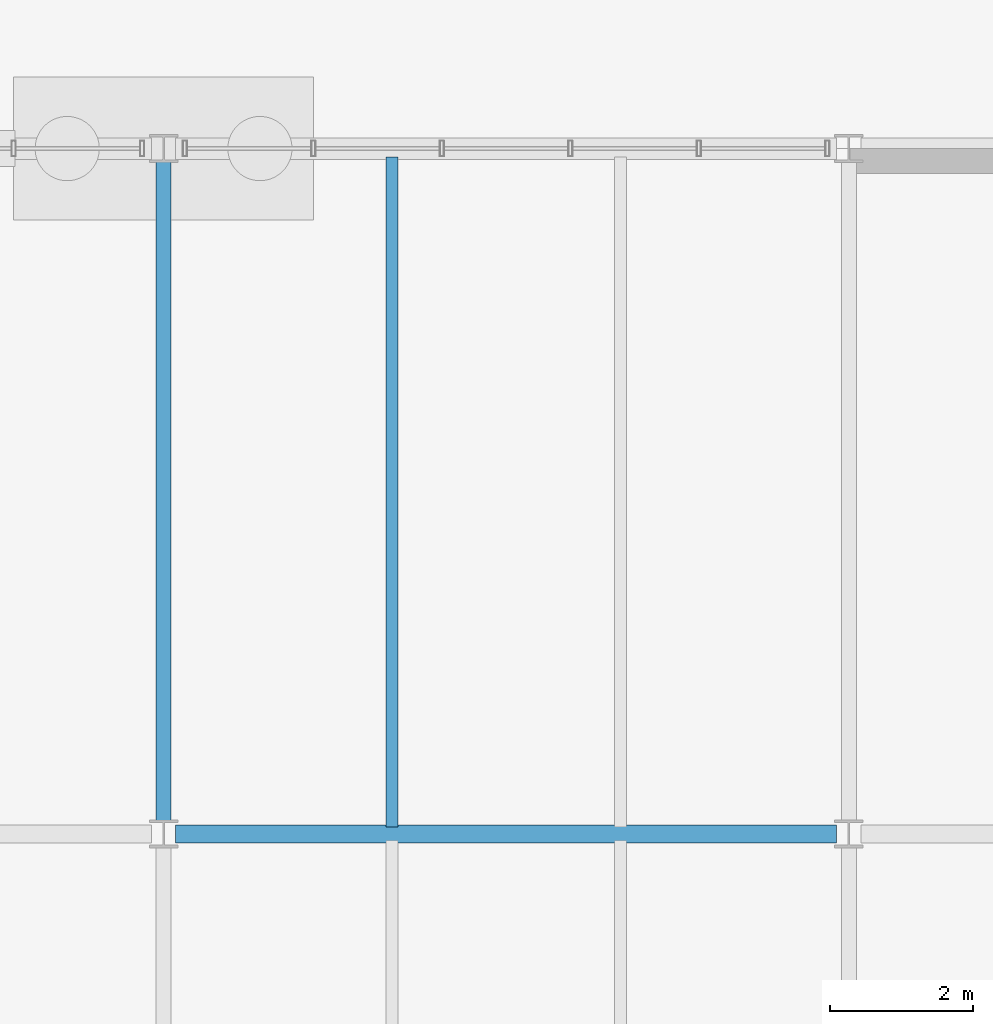
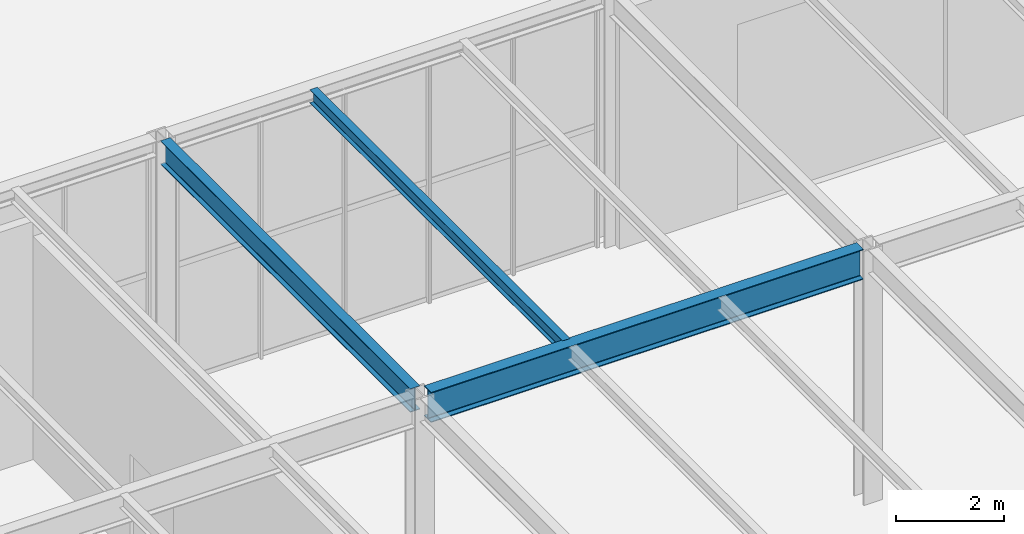
# One storey, part 52 of 142: 3 beams.
"""IFC4 building model written with IfcOpenShell, lengths in metres."""

from ifc_helpers import new_model, si_unit, direction, frame, origin, origin_2d, place, context, subcontext, project, spatial, i_section, extrude, material, material_profile, profile_set, type_object, element, save


model = new_model("IFC4")

# Units and contexts
model_context = context("Model", 3, precision=1e-05, world=origin(), true_north=direction((0.0, 1.0)))
body_context = subcontext(model_context, "Body", "Model", "MODEL_VIEW")
ifc_project = project(units=[si_unit("LENGTHUNIT", "METRE"), si_unit("AREAUNIT", "SQUARE_METRE"), si_unit("VOLUMEUNIT", "CUBIC_METRE"), si_unit("PLANEANGLEUNIT", "RADIAN"), si_unit("MASSUNIT", "GRAM", prefix="KILO")], contexts=[model_context])

# Site, building, storey
site_placement = place(None, origin())
site = spatial("IfcSite", under=ifc_project, at=site_placement, CompositionType="ELEMENT")
building_placement = place(site_placement, origin())
building = spatial("IfcBuilding", under=site, at=building_placement, Name="Coralgate Yard Interchange", CompositionType="ELEMENT")
storey_placement = place(building_placement, origin())
storey = spatial("IfcBuildingStorey", under=building, at=storey_placement, Name="L00", CompositionType="ELEMENT", Elevation=0.0)

# Beams
ifc_material = material(Name="Structural steel S355J2", Category="steel")
ifc_material_profile_1 = material_profile(ifc_material, i_section(OverallWidth=0.209228515625, OverallDepth=0.533203125, WebThickness=0.010009765625, FlangeThickness=0.015625, FilletRadius=0.0126953125, at=origin_2d()), Name="UB 533x210x92")
ifc_profile_set_1 = profile_set([ifc_material_profile_1], Name="Structural steel S355J2")
beam_type_1 = type_object("IfcBeamType", Name="BM-SB-1", PredefinedType="BEAM", material=ifc_profile_set_1)
beam_1_placement = place(storey_placement, frame((9.60009765625, 48.166748046875, 5.4833984375), z_axis=(0.0, 1.0, 0.0), x_axis=(-1.0, 0.0, 0.0)))
element("IfcBeam", 1, at=beam_1_placement, inside=storey, type_object=beam_type_1, Name="L00 primary grid girder X1 Y5-6", PredefinedType="BEAM", context=body_context, shape_type="SweptSolid", body=[
    extrude(i_section(OverallWidth=0.209228515625, OverallDepth=0.533203125, WebThickness=0.010009765625, FlangeThickness=0.015625, FilletRadius=0.0126953125, at=origin_2d()), origin(), (0.0, 0.0, 1.0), 9.266357421875),
])
ifc_material_profile_2 = material_profile(ifc_material, i_section(OverallWidth=0.253662109375, OverallDepth=0.68359375, WebThickness=0.012451171875, FlangeThickness=0.01904296875, FilletRadius=0.01513671875, at=origin_2d()), Name="UB 686x254x140")
ifc_profile_set_2 = profile_set([ifc_material_profile_2], Name="Structural steel S355J2")
beam_type_2 = type_object("IfcBeamType", Name="BM-SG-4", PredefinedType="BEAM", material=ifc_profile_set_2)
beam_2_placement = place(storey_placement, frame((9.76953125, 48.0, 5.408203125), z_axis=(1.0, 0.0, 0.0), x_axis=(0.0, 1.0, 0.0)))
element("IfcBeam", 2, at=beam_2_placement, inside=storey, type_object=beam_type_2, Name="L00 primary grid beam Y5 X1-2", PredefinedType="BEAM", context=body_context, shape_type="SweptSolid", body=[
    extrude(i_section(OverallWidth=0.253662109375, OverallDepth=0.68359375, WebThickness=0.012451171875, FlangeThickness=0.01904296875, FilletRadius=0.01513671875, at=origin_2d()), origin(), (0.0, 0.0, 1.0), 9.260986328125),
])
ifc_material_profile_3 = material_profile(ifc_material, i_section(OverallWidth=0.1650390625, OverallDepth=0.303466796875, WebThickness=0.006103515625, FlangeThickness=0.01025390625, FilletRadius=0.0087890625, at=origin_2d()), Name="UB 305x165x40")
ifc_profile_set_3 = profile_set([ifc_material_profile_3], Name="Structural steel S355J2")
beam_type_3 = type_object("IfcBeamType", Name="BM-SJ-1", PredefinedType="JOIST", material=ifc_profile_set_3)
beam_3_placement = place(storey_placement, frame((12.800048828125, 48.096923828125, 5.598388671875), z_axis=(0.0, 1.0, 0.0), x_axis=(-1.0, 0.0, 0.0)))
element("IfcBeam", 3, at=beam_3_placement, inside=storey, type_object=beam_type_3, Name="L00 composite floor joist 1-5-1", PredefinedType="JOIST", context=body_context, shape_type="SweptSolid", body=[
    extrude(i_section(OverallWidth=0.1650390625, OverallDepth=0.303466796875, WebThickness=0.006103515625, FlangeThickness=0.01025390625, FilletRadius=0.0087890625, at=origin_2d()), origin(), (0.0, 0.0, 1.0), 9.383056640625),
])

save(model, "model.ifc")
